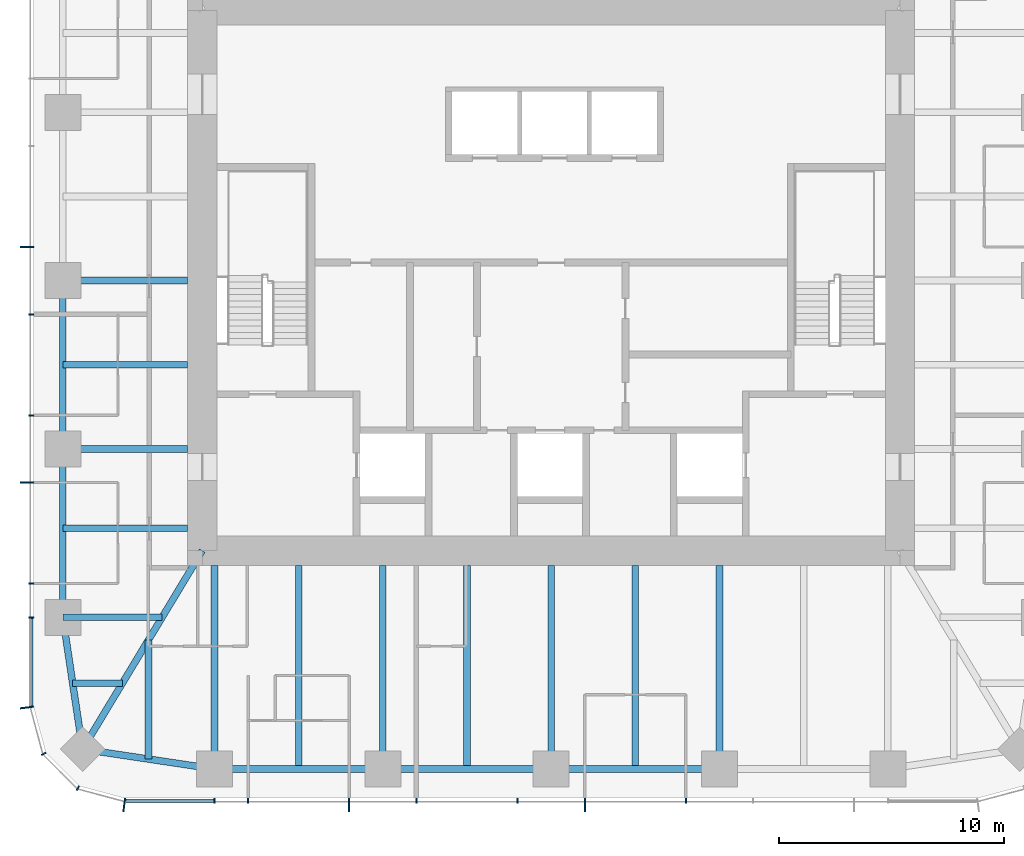
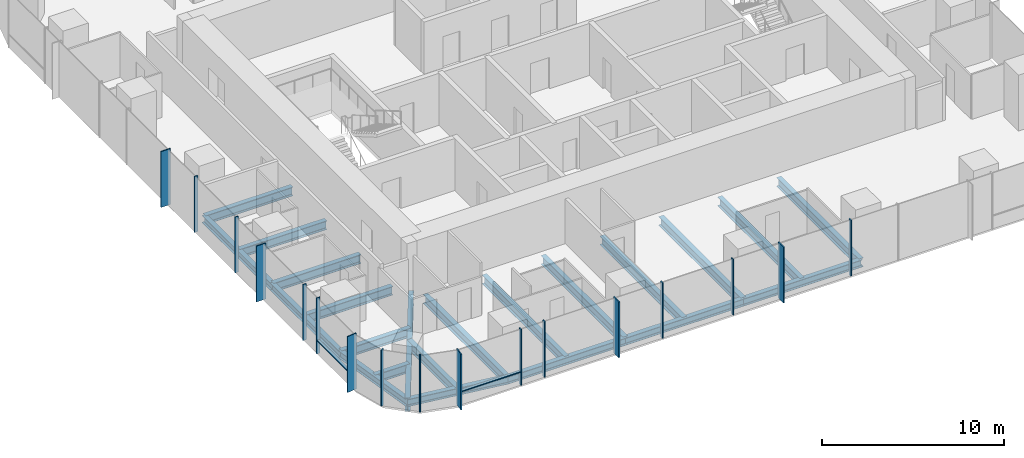
# One storey, part 2 of 12: 22 beams, 19 members, 3 elements without a shape of their own.
"""IFC4 building model written with IfcOpenShell, lengths in metres."""

from ifc_helpers import new_model, si_unit, direction, frame, origin, origin_2d, place, context, subcontext, project, spatial, rectangle, i_section, extrude, material, material_profile, profile_set, type_object, element, aggregate, save


model = new_model("IFC4")

# Units and contexts
model_context = context("Model", 3, precision=1e-05, world=origin(), true_north=direction((0.0, 1.0)))
body_context = subcontext(model_context, "Body", "Model", "MODEL_VIEW")
ifc_project = project(units=[si_unit("LENGTHUNIT", "METRE"), si_unit("AREAUNIT", "SQUARE_METRE"), si_unit("VOLUMEUNIT", "CUBIC_METRE"), si_unit("PLANEANGLEUNIT", "RADIAN"), si_unit("MASSUNIT", "GRAM", prefix="KILO")], contexts=[model_context])

# Site, building, storey
site_placement = place(None, origin())
site = spatial("IfcSite", under=ifc_project, at=site_placement, CompositionType="ELEMENT")
building_placement = place(site_placement, origin())
building = spatial("IfcBuilding", under=site, at=building_placement, Name="Khuree Lantern Residences", CompositionType="ELEMENT")
storey_placement = place(building_placement, frame((0.0, 0.0, 334.5)))
storey = spatial("IfcBuildingStorey", under=building, at=storey_placement, Name="L84", CompositionType="ELEMENT", Elevation=334.5)

# Beams
ifc_material_1 = material(Name="Steel S355", Category="steel")
ifc_material_profile_1 = material_profile(ifc_material_1, i_section(OverallWidth=0.300048828125, OverallDepth=0.590087890625, WebThickness=0.012939453125, FlangeThickness=0.02490234375, FilletRadius=0.027099609375, at=origin_2d()), Name="HE 600 A")
ifc_profile_set_1 = profile_set([ifc_material_profile_1], Name="Steel S355")
beam_type_1 = type_object("IfcBeamType", Name="B-44 SECONDARY BEAM HE 600 A", PredefinedType="BEAM", material=ifc_profile_set_1)
for number, where, z_axis, x_axis, name in (
    (1, (3.739990234375, -21.699951171875, -0.544921875), (0.0, 1.0, 0.0), (-1.0, 0.0, 0.0), "Secondary beam S3"),
    (2, (-3.739990234375, -21.699951171875, -0.544921875), (0.0, 1.0, 0.0), (-1.0, 0.0, 0.0), "Secondary beam S4"),
    (3, (-11.219970703125, -21.699951171875, -0.544921875), (0.0, 1.0, 0.0), (-1.0, 0.0, 0.0), "Secondary beam S5"),
):
    element("IfcBeam", number, at=place(storey_placement, frame(where, z_axis=z_axis, x_axis=x_axis)), inside=storey, type_object=beam_type_1, Name=name, PredefinedType="BEAM", context=body_context, shape_type="SweptSolid", body=[
        extrude(i_section(OverallWidth=0.300048828125, OverallDepth=0.590087890625, WebThickness=0.012939453125, FlangeThickness=0.02490234375, FilletRadius=0.027099609375, at=origin_2d()), origin(), (0.0, 0.0, 1.0), 9.050048828125),
    ])
beam_1_placement = place(storey_placement, frame((-17.890625, -21.2607421875, -0.544921875), z_axis=(0.0, 1.0, 0.0), x_axis=(-1.0, 0.0, 0.0)))
element("IfcBeam", 4, at=beam_1_placement, inside=storey, type_object=beam_type_1, Name="Secondary beam S6", PredefinedType="BEAM", context=body_context, shape_type="SweptSolid", body=[
    extrude(i_section(OverallWidth=0.300048828125, OverallDepth=0.590087890625, WebThickness=0.012939453125, FlangeThickness=0.02490234375, FilletRadius=0.027099609375, at=origin_2d()), origin(), (0.0, 0.0, 1.0), 5.297607421875),
])
beam_2_placement = place(storey_placement, frame((-21.2607421875, -17.890625, -0.544921875), z_axis=(1.0, 0.0, 0.0), x_axis=(0.0, 1.0, 0.0)))
element("IfcBeam", 5, at=beam_2_placement, inside=storey, type_object=beam_type_1, Name="Secondary beam W1", PredefinedType="BEAM", context=body_context, shape_type="SweptSolid", body=[
    extrude(i_section(OverallWidth=0.300048828125, OverallDepth=0.590087890625, WebThickness=0.012939453125, FlangeThickness=0.02490234375, FilletRadius=0.027099609375, at=origin_2d()), origin(), (0.0, 0.0, 1.0), 2.207275390625),
])
for number, where, z_axis, x_axis, name in (
    (6, (-21.699951171875, -11.0, -0.544921875), (1.0, 0.0, 0.0), (0.0, 1.0, 0.0), "Secondary beam W2"),
    (7, (-21.699951171875, -3.739990234375, -0.544921875), (1.0, 0.0, 0.0), (0.0, 1.0, 0.0), "Secondary beam W3"),
):
    element("IfcBeam", number, at=place(storey_placement, frame(where, z_axis=z_axis, x_axis=x_axis)), inside=storey, type_object=beam_type_1, Name=name, PredefinedType="BEAM", context=body_context, shape_type="SweptSolid", body=[
        extrude(i_section(OverallWidth=0.300048828125, OverallDepth=0.590087890625, WebThickness=0.012939453125, FlangeThickness=0.02490234375, FilletRadius=0.027099609375, at=origin_2d()), origin(), (0.0, 0.0, 1.0), 5.550048828125),
    ])
ifc_material_profile_2 = material_profile(ifc_material_1, i_section(OverallWidth=0.300048828125, OverallDepth=0.489990234375, WebThickness=0.011962890625, FlangeThickness=0.02294921875, FilletRadius=0.027099609375, at=origin_2d()), Name="HE 500 A")
ifc_profile_set_2 = profile_set([ifc_material_profile_2], Name="Steel S355")
beam_type_2 = type_object("IfcBeamType", Name="E-44 SPANDREL BEAM HE 500 A", PredefinedType="SPANDREL", material=ifc_profile_set_2)
for number, where, z_axis, x_axis, name in (
    (8, (7.47998046875, -21.699951171875, -0.4951171875), (-1.0, 0.0, 0.0), (0.0, -1.0, 0.0), "Spandrel beam S3"),
    (9, (0.0, -21.699951171875, -0.4951171875), (-1.0, 0.0, 0.0), (0.0, -1.0, 0.0), "Spandrel beam S4"),
    (10, (-7.47998046875, -21.699951171875, -0.4951171875), (-1.0, 0.0, 0.0), (0.0, -1.0, 0.0), "Spandrel beam S5"),
):
    element("IfcBeam", number, at=place(storey_placement, frame(where, z_axis=z_axis, x_axis=x_axis)), inside=storey, type_object=beam_type_2, Name=name, PredefinedType="SPANDREL", context=body_context, shape_type="SweptSolid", body=[
        extrude(i_section(OverallWidth=0.300048828125, OverallDepth=0.489990234375, WebThickness=0.011962890625, FlangeThickness=0.02294921875, FilletRadius=0.027099609375, at=origin_2d()), origin(), (0.0, 0.0, 1.0), 7.47998046875),
    ])
for number, where, z_axis, x_axis, name in (
    (11, (-14.9599609375, -21.699951171875, -0.4951171875), (-0.988949643299, 0.148251822985, 0.0), (-0.148251822985, -0.988949643299, 0.0), "Spandrel beam S6"),
    (12, (-20.8212890625, -20.8212890625, -0.4951171875), (-0.148251822985, 0.988949643299, 0.0), (-0.988949643299, -0.148251822985, 0.0), "Spandrel beam W1"),
):
    element("IfcBeam", number, at=place(storey_placement, frame(where, z_axis=z_axis, x_axis=x_axis)), inside=storey, type_object=beam_type_2, Name=name, PredefinedType="SPANDREL", context=body_context, shape_type="SweptSolid", body=[
        extrude(i_section(OverallWidth=0.300048828125, OverallDepth=0.489990234375, WebThickness=0.011962890625, FlangeThickness=0.02294921875, FilletRadius=0.027099609375, at=origin_2d()), origin(), (0.0, 0.0, 1.0), 5.9267578125),
    ])
for number, where, z_axis, x_axis, name in (
    (13, (-21.699951171875, -14.9599609375, -0.4951171875), (0.0, 1.0, 0.0), (-1.0, 0.0, 0.0), "Spandrel beam W2"),
    (14, (-21.699951171875, -7.47998046875, -0.4951171875), (0.0, 1.0, 0.0), (-1.0, 0.0, 0.0), "Spandrel beam W3"),
):
    element("IfcBeam", number, at=place(storey_placement, frame(where, z_axis=z_axis, x_axis=x_axis)), inside=storey, type_object=beam_type_2, Name=name, PredefinedType="SPANDREL", context=body_context, shape_type="SweptSolid", body=[
        extrude(i_section(OverallWidth=0.300048828125, OverallDepth=0.489990234375, WebThickness=0.011962890625, FlangeThickness=0.02294921875, FilletRadius=0.027099609375, at=origin_2d()), origin(), (0.0, 0.0, 1.0), 7.47998046875),
    ])

# Curtain wall, members
ifc_material_2 = material(Name="Bronze anodised aluminium", Category="aluminium")
curtain_wall_type_1 = type_object("IfcCurtainWallType", Name="CW-T1 TOWER FACE CURTAIN WALL", PredefinedType="USERDEFINED", material=ifc_material_2)
curtain_wall_1_placement = place(storey_placement, origin())
curtain_wall_1 = element("IfcCurtainWall", 15, at=curtain_wall_1_placement, inside=storey, type_object=curtain_wall_type_1, Name="L84 WEST FACE CURTAIN WALL", ObjectType="Stick-built curtain wall", PredefinedType="USERDEFINED")
ifc_material_profile_3 = material_profile(ifc_material_2, rectangle(XDim=0.06494140625, YDim=0.60009765625, at=origin_2d()), Name="F1 65X600")
ifc_profile_set_3 = profile_set([ifc_material_profile_3], Name="Bronze anodised aluminium")
member_type_1 = type_object("IfcMemberType", Name="F1 BRONZE FIN MULLION TOWER 65X600", PredefinedType="MULLION", material=ifc_profile_set_3)
member_1_placement = place(storey_placement, frame((-23.300048828125, 1.49609375, 0.0), z_axis=(0.0, 0.0, 1.0), x_axis=(0.0, -1.0, 0.0)))
member_1 = element("IfcMember", 16, at=member_1_placement, type_object=member_type_1, Name="L84 WEST FACE FIN MULLION 37", PredefinedType="MULLION", context=body_context, shape_type="SweptSolid", body=[
    extrude(rectangle(XDim=0.06494140625, YDim=0.60009765625, at=origin_2d()), origin(), (0.0, 0.0, 1.0), 3.75),
])
member_2_placement = place(storey_placement, frame((-23.300048828125, -8.97607421875, 0.0), z_axis=(0.0, 0.0, 1.0), x_axis=(0.0, -1.0, 0.0)))
member_2 = element("IfcMember", 17, at=member_2_placement, type_object=member_type_1, Name="L84 WEST FACE FIN MULLION 40", PredefinedType="MULLION", context=body_context, shape_type="SweptSolid", body=[
    extrude(rectangle(XDim=0.06494140625, YDim=0.60009765625, at=origin_2d()), origin(), (0.0, 0.0, 1.0), 3.75),
])

# Curtain wall, member
curtain_wall_type_2 = type_object("IfcCurtainWallType", Name="CW-T2 TOWER CORNER CURTAIN WALL", PredefinedType="USERDEFINED", material=ifc_material_2)
curtain_wall_2_placement = place(storey_placement, origin())
curtain_wall_2 = element("IfcCurtainWall", 18, at=curtain_wall_2_placement, inside=storey, type_object=curtain_wall_type_2, Name="L84 SOUTH-WEST CORNER CURTAIN WALL", ObjectType="Faceted corner curtain wall", PredefinedType="USERDEFINED")
member_3_placement = place(storey_placement, frame((-23.300048828125, -18.9697265625, 0.0), z_axis=(0.0, 0.0, 1.0), x_axis=(0.130526125236, -0.991444870192, 0.0)))
member_3 = element("IfcMember", 19, at=member_3_placement, type_object=member_type_1, Name="L84 SOUTH-WEST CORNER FIN MULLION 43", PredefinedType="MULLION", context=body_context, shape_type="SweptSolid", body=[
    extrude(rectangle(XDim=0.06494140625, YDim=0.60009765625, at=origin_2d()), origin(), (0.0, 0.0, 1.0), 3.75),
])

# Curtain wall, members
curtain_wall_3_placement = place(storey_placement, origin())
curtain_wall_3 = element("IfcCurtainWall", 20, at=curtain_wall_3_placement, inside=storey, type_object=curtain_wall_type_1, Name="L84 SOUTH FACE CURTAIN WALL", ObjectType="Stick-built curtain wall", PredefinedType="USERDEFINED")
member_4_placement = place(storey_placement, frame((-18.9697265625, -23.300048828125, 0.0), z_axis=(0.0, 0.0, 1.0), x_axis=(0.991444870192, -0.130526125236, 0.0)))
member_4 = element("IfcMember", 21, at=member_4_placement, type_object=member_type_1, Name="L84 SOUTH FACE FIN MULLION 46", PredefinedType="MULLION", context=body_context, shape_type="SweptSolid", body=[
    extrude(rectangle(XDim=0.06494140625, YDim=0.60009765625, at=origin_2d()), origin(), (0.0, 0.0, 1.0), 3.75),
])
member_5_placement = place(storey_placement, frame((-8.97607421875, -23.300048828125, 0.0), z_axis=(0.0, 0.0, 1.0), x_axis=(1.0, 0.0, 0.0)))
member_5 = element("IfcMember", 22, at=member_5_placement, type_object=member_type_1, Name="L84 SOUTH FACE FIN MULLION 49", PredefinedType="MULLION", context=body_context, shape_type="SweptSolid", body=[
    extrude(rectangle(XDim=0.06494140625, YDim=0.60009765625, at=origin_2d()), origin(), (0.0, 0.0, 1.0), 3.75),
])
member_6_placement = place(storey_placement, frame((1.49609375, -23.300048828125, 0.0), z_axis=(0.0, 0.0, 1.0), x_axis=(1.0, 0.0, 0.0)))
member_6 = element("IfcMember", 23, at=member_6_placement, type_object=member_type_1, Name="L84 SOUTH FACE FIN MULLION 52", PredefinedType="MULLION", context=body_context, shape_type="SweptSolid", body=[
    extrude(rectangle(XDim=0.06494140625, YDim=0.60009765625, at=origin_2d()), origin(), (0.0, 0.0, 1.0), 3.75),
])

# Beams
ifc_material_profile_4 = material_profile(ifc_material_1, i_section(OverallWidth=0.300048828125, OverallDepth=0.60009765625, WebThickness=0.015380859375, FlangeThickness=0.030029296875, FilletRadius=0.027099609375, at=origin_2d()), Name="HE 600 B")
ifc_profile_set_4 = profile_set([ifc_material_profile_4], Name="Steel S355")
beam_type_3 = type_object("IfcBeamType", Name="G-44 GIRDER HE 600 B", PredefinedType="BEAM", material=ifc_profile_set_4)
for number, where, z_axis, x_axis, name in (
    (24, (7.47998046875, -21.699951171875, -0.550048828125), (0.0, 1.0, 0.0), (-1.0, 0.0, 0.0), "Girder S2"),
    (25, (0.0, -21.699951171875, -0.550048828125), (0.0, 1.0, 0.0), (-1.0, 0.0, 0.0), "Girder S3"),
    (26, (-7.47998046875, -21.699951171875, -0.550048828125), (0.0, 1.0, 0.0), (-1.0, 0.0, 0.0), "Girder S4"),
    (27, (-14.9599609375, -21.699951171875, -0.550048828125), (0.0, 1.0, 0.0), (-1.0, 0.0, 0.0), "Girder S5"),
):
    element("IfcBeam", number, at=place(storey_placement, frame(where, z_axis=z_axis, x_axis=x_axis)), inside=storey, type_object=beam_type_3, Name=name, PredefinedType="BEAM", context=body_context, shape_type="SweptSolid", body=[
        extrude(i_section(OverallWidth=0.300048828125, OverallDepth=0.60009765625, WebThickness=0.015380859375, FlangeThickness=0.030029296875, FilletRadius=0.027099609375, at=origin_2d()), origin(), (0.0, 0.0, 1.0), 9.050048828125),
    ])
beam_3_placement = place(storey_placement, frame((-21.699951171875, -14.9599609375, -0.550048828125), z_axis=(1.0, 0.0, 0.0), x_axis=(0.0, 1.0, 0.0)))
element("IfcBeam", 28, at=beam_3_placement, inside=storey, type_object=beam_type_3, Name="Girder W1", PredefinedType="BEAM", context=body_context, shape_type="SweptSolid", body=[
    extrude(i_section(OverallWidth=0.300048828125, OverallDepth=0.60009765625, WebThickness=0.015380859375, FlangeThickness=0.030029296875, FilletRadius=0.027099609375, at=origin_2d()), origin(), (0.0, 0.0, 1.0), 4.414306640625),
])
for number, where, z_axis, x_axis, name in (
    (29, (-21.699951171875, -7.47998046875, -0.550048828125), (1.0, 0.0, 0.0), (0.0, 1.0, 0.0), "Girder W2"),
    (30, (-21.699951171875, 0.0, -0.550048828125), (1.0, 0.0, 0.0), (0.0, 1.0, 0.0), "Girder W3"),
):
    element("IfcBeam", number, at=place(storey_placement, frame(where, z_axis=z_axis, x_axis=x_axis)), inside=storey, type_object=beam_type_3, Name=name, PredefinedType="BEAM", context=body_context, shape_type="SweptSolid", body=[
        extrude(i_section(OverallWidth=0.300048828125, OverallDepth=0.60009765625, WebThickness=0.015380859375, FlangeThickness=0.030029296875, FilletRadius=0.027099609375, at=origin_2d()), origin(), (0.0, 0.0, 1.0), 5.550048828125),
    ])
ifc_material_profile_5 = material_profile(ifc_material_1, i_section(OverallWidth=0.300048828125, OverallDepth=0.89990234375, WebThickness=0.0185546875, FlangeThickness=0.034912109375, FilletRadius=0.030029296875, at=origin_2d()), Name="HE 900 B")
ifc_profile_set_5 = profile_set([ifc_material_profile_5], Name="Steel S355")
beam_type_4 = type_object("IfcBeamType", Name="GD-44 CORNER GIRDER HE 900 B", PredefinedType="BEAM", material=ifc_profile_set_5)
beam_4_placement = place(storey_placement, frame((-20.8212890625, -20.8212890625, -0.699951171875), z_axis=(0.516529577604, 0.856269347495, 0.0), x_axis=(-0.856269347495, 0.516529577604, 0.0)))
element("IfcBeam", 31, at=beam_4_placement, inside=storey, type_object=beam_type_4, Name="Corner girder SW", PredefinedType="BEAM", context=body_context, shape_type="SweptSolid", body=[
    extrude(i_section(OverallWidth=0.300048828125, OverallDepth=0.89990234375, WebThickness=0.0185546875, FlangeThickness=0.034912109375, FilletRadius=0.030029296875, at=origin_2d()), origin(), (0.0, 0.0, 1.0), 10.302001953125),
])

# Member
ifc_material_profile_6 = material_profile(ifc_material_2, rectangle(XDim=0.06494140625, YDim=0.219970703125, at=origin_2d()), Name="M1 65X220")
ifc_profile_set_6 = profile_set([ifc_material_profile_6], Name="Bronze anodised aluminium")
member_type_2 = type_object("IfcMemberType", Name="M1 BRONZE MULLION TOWER 65X220", PredefinedType="MULLION", material=ifc_profile_set_6)
member_7_placement = place(storey_placement, frame((-23.110107421875, -1.49609375, 0.0), z_axis=(0.0, 0.0, 1.0), x_axis=(0.0, -1.0, 0.0)))
member_7 = element("IfcMember", 32, at=member_7_placement, type_object=member_type_2, Name="L84 WEST FACE MULLION 38", PredefinedType="MULLION", context=body_context, shape_type="SweptSolid", body=[
    extrude(rectangle(XDim=0.06494140625, YDim=0.219970703125, at=origin_2d()), origin(), (0.0, 0.0, 1.0), 3.75),
])

member_8_placement = place(storey_placement, frame((-23.110107421875, -5.98388671875, 0.0), z_axis=(0.0, 0.0, 1.0), x_axis=(0.0, -1.0, 0.0)))
member_8 = element("IfcMember", 33, at=member_8_placement, type_object=member_type_2, Name="L84 WEST FACE MULLION 39", PredefinedType="MULLION", context=body_context, shape_type="SweptSolid", body=[
    extrude(rectangle(XDim=0.06494140625, YDim=0.219970703125, at=origin_2d()), origin(), (0.0, 0.0, 1.0), 3.75),
])

member_9_placement = place(storey_placement, frame((-23.110107421875, -13.464111328125, 0.0), z_axis=(0.0, 0.0, 1.0), x_axis=(0.0, -1.0, 0.0)))
member_9 = element("IfcMember", 34, at=member_9_placement, type_object=member_type_2, Name="L84 WEST FACE MULLION 41", PredefinedType="MULLION", context=body_context, shape_type="SweptSolid", body=[
    extrude(rectangle(XDim=0.06494140625, YDim=0.219970703125, at=origin_2d()), origin(), (0.0, 0.0, 1.0), 3.75),
])

member_10_placement = place(storey_placement, frame((-23.110107421875, -14.9599609375, 0.0), z_axis=(0.0, 0.0, 1.0), x_axis=(0.0, -1.0, 0.0)))
member_10 = element("IfcMember", 35, at=member_10_placement, type_object=member_type_2, Name="L84 WEST FACE MULLION 42", PredefinedType="MULLION", context=body_context, shape_type="SweptSolid", body=[
    extrude(rectangle(XDim=0.06494140625, YDim=0.219970703125, at=origin_2d()), origin(), (0.0, 0.0, 1.0), 3.75),
])

member_11_placement = place(storey_placement, frame((-22.552734375, -21.030029296875, 0.0), z_axis=(0.0, 0.0, 1.0), x_axis=(0.49999994149, -0.866025437565, 0.0)))
member_11 = element("IfcMember", 36, at=member_11_placement, type_object=member_type_2, Name="L84 SOUTH-WEST CORNER MULLION 44", PredefinedType="MULLION", context=body_context, shape_type="SweptSolid", body=[
    extrude(rectangle(XDim=0.06494140625, YDim=0.219970703125, at=origin_2d()), origin(), (0.0, 0.0, 1.0), 3.75),
])

member_12_placement = place(storey_placement, frame((-21.030029296875, -22.552734375, 0.0), z_axis=(0.0, 0.0, 1.0), x_axis=(0.866025437565, -0.49999994149, 0.0)))
member_12 = element("IfcMember", 37, at=member_12_placement, type_object=member_type_2, Name="L84 SOUTH-WEST CORNER MULLION 45", PredefinedType="MULLION", context=body_context, shape_type="SweptSolid", body=[
    extrude(rectangle(XDim=0.06494140625, YDim=0.219970703125, at=origin_2d()), origin(), (0.0, 0.0, 1.0), 3.75),
])

aggregate(curtain_wall_2, [member_3, member_11, member_12])

member_13_placement = place(storey_placement, frame((-14.9599609375, -23.110107421875, 0.0), z_axis=(0.0, 0.0, 1.0), x_axis=(1.0, 0.0, 0.0)))
member_13 = element("IfcMember", 38, at=member_13_placement, type_object=member_type_2, Name="L84 SOUTH FACE MULLION 47", PredefinedType="MULLION", context=body_context, shape_type="SweptSolid", body=[
    extrude(rectangle(XDim=0.06494140625, YDim=0.219970703125, at=origin_2d()), origin(), (0.0, 0.0, 1.0), 3.75),
])

member_14_placement = place(storey_placement, frame((-13.464111328125, -23.110107421875, 0.0), z_axis=(0.0, 0.0, 1.0), x_axis=(1.0, 0.0, 0.0)))
member_14 = element("IfcMember", 39, at=member_14_placement, type_object=member_type_2, Name="L84 SOUTH FACE MULLION 48", PredefinedType="MULLION", context=body_context, shape_type="SweptSolid", body=[
    extrude(rectangle(XDim=0.06494140625, YDim=0.219970703125, at=origin_2d()), origin(), (0.0, 0.0, 1.0), 3.75),
])

member_15_placement = place(storey_placement, frame((-5.98388671875, -23.110107421875, 0.0), z_axis=(0.0, 0.0, 1.0), x_axis=(1.0, 0.0, 0.0)))
member_15 = element("IfcMember", 40, at=member_15_placement, type_object=member_type_2, Name="L84 SOUTH FACE MULLION 50", PredefinedType="MULLION", context=body_context, shape_type="SweptSolid", body=[
    extrude(rectangle(XDim=0.06494140625, YDim=0.219970703125, at=origin_2d()), origin(), (0.0, 0.0, 1.0), 3.75),
])

member_16_placement = place(storey_placement, frame((-1.49609375, -23.110107421875, 0.0), z_axis=(0.0, 0.0, 1.0), x_axis=(1.0, 0.0, 0.0)))
member_16 = element("IfcMember", 41, at=member_16_placement, type_object=member_type_2, Name="L84 SOUTH FACE MULLION 51", PredefinedType="MULLION", context=body_context, shape_type="SweptSolid", body=[
    extrude(rectangle(XDim=0.06494140625, YDim=0.219970703125, at=origin_2d()), origin(), (0.0, 0.0, 1.0), 3.75),
])

member_17_placement = place(storey_placement, frame((5.98388671875, -23.110107421875, 0.0), z_axis=(0.0, 0.0, 1.0), x_axis=(1.0, 0.0, 0.0)))
member_17 = element("IfcMember", 42, at=member_17_placement, type_object=member_type_2, Name="L84 SOUTH FACE MULLION 53", PredefinedType="MULLION", context=body_context, shape_type="SweptSolid", body=[
    extrude(rectangle(XDim=0.06494140625, YDim=0.219970703125, at=origin_2d()), origin(), (0.0, 0.0, 1.0), 3.75),
])

ifc_material_profile_7 = material_profile(ifc_material_2, rectangle(XDim=0.179931640625, YDim=0.06494140625, at=origin_2d()), Name="T1 180X65")
ifc_profile_set_7 = profile_set([ifc_material_profile_7], Name="Bronze anodised aluminium")
member_type_3 = type_object("IfcMemberType", Name="TRANSOM T1 TOWER 180X65", PredefinedType="USERDEFINED", material=ifc_profile_set_7)
member_18_placement = place(storey_placement, frame((-23.1201171875, -14.992431640625, 0.89990234375), z_axis=(0.0, -1.0, 0.0), x_axis=(1.0, 0.0, 0.0)))
member_18 = element("IfcMember", 43, at=member_18_placement, type_object=member_type_3, Name="L84 WEST FACE TRANSOM 42.1", ObjectType="Transom", PredefinedType="USERDEFINED", context=body_context, shape_type="SweptSolid", body=[
    extrude(rectangle(XDim=0.179931640625, YDim=0.06494140625, at=origin_2d()), origin(), (0.0, 0.0, 1.0), 3.908935546875),
])

aggregate(curtain_wall_1, [member_1, member_7, member_8, member_2, member_9, member_10, member_18])

member_19_placement = place(storey_placement, frame((-18.9013671875, -23.1201171875, 0.89990234375), z_axis=(1.0, 0.0, 0.0), x_axis=(0.0, 1.0, 0.0)))
member_19 = element("IfcMember", 44, at=member_19_placement, type_object=member_type_3, Name="L84 SOUTH FACE TRANSOM 46.1", ObjectType="Transom", PredefinedType="USERDEFINED", context=body_context, shape_type="SweptSolid", body=[
    extrude(rectangle(XDim=0.179931640625, YDim=0.06494140625, at=origin_2d()), origin(), (0.0, 0.0, 1.0), 3.908935546875),
])

aggregate(curtain_wall_3, [member_4, member_13, member_14, member_5, member_15, member_16, member_6, member_17, member_19])

save(model, "model.ifc")
